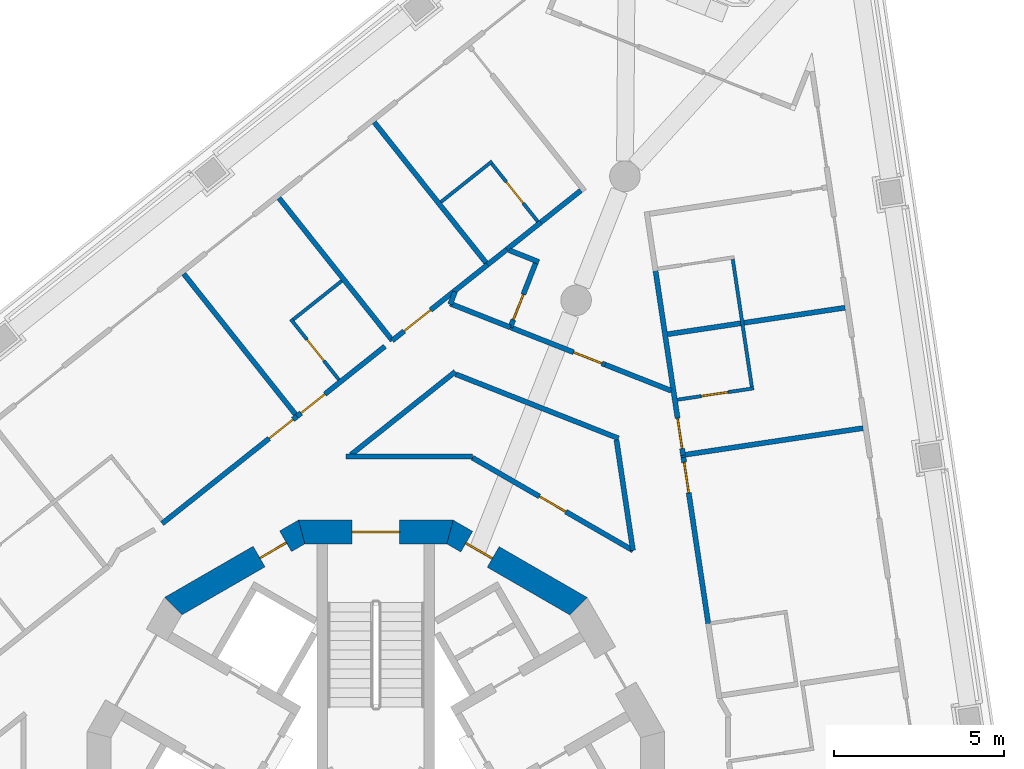
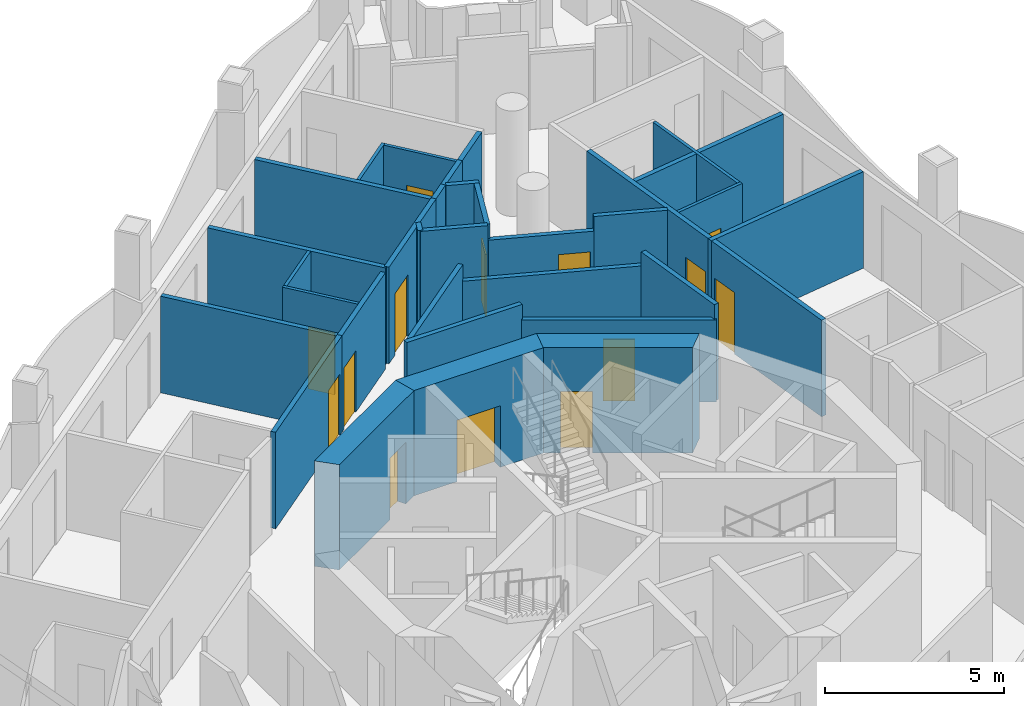
# One storey, part 8 of 16: 33 walls, 14 doors, 14 openings.
"""IFC4 building model written with IfcOpenShell, lengths in metres."""

from ifc_helpers import new_model, si_unit, direction, frame, frame_2d, origin, place, context, subcontext, project, spatial, polyline, rectangle, outline, extrude, material, layer, layer_set, type_object, element, fill, save


model = new_model("IFC4")

# Units and contexts
model_context = context("Model", 3, precision=1e-05, world=origin(), true_north=direction((0.0, 1.0)))
body_context = subcontext(model_context, "Body", "Model", "MODEL_VIEW")
ifc_project = project(units=[si_unit("LENGTHUNIT", "METRE"), si_unit("AREAUNIT", "SQUARE_METRE"), si_unit("VOLUMEUNIT", "CUBIC_METRE"), si_unit("PLANEANGLEUNIT", "RADIAN"), si_unit("MASSUNIT", "GRAM", prefix="KILO")], contexts=[model_context])

# Site, building, storey
site_placement = place(None, origin())
site = spatial("IfcSite", under=ifc_project, at=site_placement, CompositionType="ELEMENT")
building_placement = place(site_placement, origin())
building = spatial("IfcBuilding", under=site, at=building_placement, Name="Trine Commons Tower", CompositionType="ELEMENT")
storey_placement = place(building_placement, frame((0.0, 0.0, 219.60009765625)))
storey = spatial("IfcBuildingStorey", under=building, at=storey_placement, Name="L57", CompositionType="ELEMENT", Elevation=219.60009765625)

# Wall, opening, door
ifc_material_1 = material(Name="Concrete C60/75", Category="concrete")
ifc_layer_1 = layer(ifc_material_1, 0.699951171875)
ifc_layer_set_1 = layer_set([ifc_layer_1], Name="Concrete C60/75")
wall_type_1 = type_object("IfcWallType", Name="RC shear wall 700 mm, C60/75", PredefinedType="SHEAR", material=ifc_layer_set_1)
wall_1_placement = place(storey_placement, frame((86.047607421875, 68.41943359375, 0.0), z_axis=(0.0, 0.0, 1.0), x_axis=(-0.866034756103, 0.499983800959, 0.0)))
wall_1 = element("IfcWall", 1, at=wall_1_placement, inside=storey, type_object=wall_type_1, Name="Core wall CWF-03 L57", PredefinedType="SHEAR", context=body_context, shape_type="SweptSolid", body=[
    extrude(outline(polyline([(0.0, -0.35009765625), (4.55517578125, -0.35009765625), (4.36767578125, 0.35009765625), (0.1875, 0.35009765625), (0.0, -0.35009765625)])), origin(), (0.0, 0.0, 1.0), 3.599853515625),
])
opening_1_placement = place(wall_1_placement, frame((2.990966796875, 0.0, 0.0)))
opening_1 = element("IfcOpeningElement", 2, at=opening_1_placement, cuts=wall_1, Name="Opening K15.14", PredefinedType="OPENING", context=body_context, shape_type="SweptSolid", body=[
    extrude(rectangle(XDim=0.89990234375, YDim=2.10009765625, at=frame_2d((0.449951171875, 1.050048828125))), frame((0.0, 0.35986328125, 0.0), z_axis=(0.0, -1.0, 0.0), x_axis=(1.0, 0.0, 0.0)), (0.0, 0.0, 1.0), 0.719970703125),
])
ifc_material_2 = material(Name="Steel door leaf, fire-rated", Category="steel")
door_type_1 = type_object("IfcDoorType", Name="Core room door, single leaf 900 x 2100, FD30S", OperationType="SINGLE_SWING_LEFT", PredefinedType="DOOR", material=ifc_material_2)
door_1_placement = place(opening_1_placement, origin())
door_1 = element("IfcDoor", 3, at=door_1_placement, inside=storey, type_object=door_type_1, Name="Door to Core WC L57", OperationType="SINGLE_SWING_RIGHT", OverallHeight=2.10009765625, OverallWidth=0.89990234375, PredefinedType="DOOR", context=body_context, shape_type="SweptSolid", body=[
    extrude(rectangle(XDim=0.89990234375, YDim=2.10009765625, at=frame_2d((0.449951171875, 1.050048828125))), frame((0.0, 0.0751953125, 0.0), z_axis=(0.0, -1.0, 0.0), x_axis=(1.0, 0.0, 0.0)), (0.0, 0.0, 1.0), 0.050048828125),
])
fill(opening_1, door_1)

wall_2_placement = place(storey_placement, frame((82.277587890625, 70.650146484375, 0.0), z_axis=(0.0, 0.0, 1.0), x_axis=(-1.0, 0.0, 0.0)))
wall_2 = element("IfcWall", 4, at=wall_2_placement, inside=storey, type_object=wall_type_1, Name="Core wall CWF-04 L57", PredefinedType="SHEAR", context=body_context, shape_type="SweptSolid", body=[
    extrude(outline(polyline([(0.0, -0.35009765625), (4.55517578125, -0.35009765625), (4.36767578125, 0.35009765625), (0.1875, 0.35009765625), (0.0, -0.35009765625)])), origin(), (0.0, 0.0, 1.0), 3.599853515625),
])
opening_2_placement = place(wall_2_placement, frame((1.57763671875, 0.0, 0.0)))
opening_2 = element("IfcOpeningElement", 5, at=opening_2_placement, cuts=wall_2, Name="Opening K15.01", PredefinedType="OPENING", context=body_context, shape_type="SweptSolid", body=[
    extrude(rectangle(XDim=1.39990234375, YDim=2.10009765625, at=frame_2d((0.699951171875, 1.050048828125))), frame((0.0, 0.35986328125, 0.0), z_axis=(0.0, -1.0, 0.0), x_axis=(1.0, 0.0, 0.0)), (0.0, 0.0, 1.0), 0.719970703125),
])
ifc_material_3 = material(Name="Steel door leaves, fire-rated", Category="steel")
door_type_2 = type_object("IfcDoorType", Name="Stair door, double leaf 1400 x 2100, FD90", OperationType="DOUBLE_DOOR_SINGLE_SWING", PredefinedType="DOOR", material=ifc_material_3)
door_2_placement = place(opening_2_placement, origin())
door_2 = element("IfcDoor", 6, at=door_2_placement, inside=storey, type_object=door_type_2, Name="Stair door to Exit stair ST1C L57", OperationType="DOUBLE_DOOR_SINGLE_SWING", OverallHeight=2.10009765625, OverallWidth=1.39990234375, PredefinedType="DOOR", context=body_context, shape_type="SweptSolid", body=[
    extrude(rectangle(XDim=1.39990234375, YDim=2.10009765625, at=frame_2d((0.699951171875, 1.050048828125))), frame((0.0, 0.02490234375, 0.0), z_axis=(0.0, -1.0, 0.0), x_axis=(1.0, 0.0, 0.0)), (0.0, 0.0, 1.0), 0.050048828125),
])
fill(opening_2, door_2)

wall_3_placement = place(storey_placement, frame((77.8974609375, 70.697021484375, 0.0), z_axis=(0.0, 0.0, 1.0), x_axis=(-0.866034756103, -0.499983800959, 0.0)))
wall_3 = element("IfcWall", 7, at=wall_3_placement, inside=storey, type_object=wall_type_1, Name="Core wall CWF-05 L57", PredefinedType="SHEAR", context=body_context, shape_type="SweptSolid", body=[
    extrude(outline(polyline([(0.0, -0.35009765625), (4.55517578125, -0.35009765625), (4.36767578125, 0.35009765625), (0.1875, 0.35009765625), (0.0, -0.35009765625)])), origin(), (0.0, 0.0, 1.0), 3.599853515625),
])
opening_3_placement = place(wall_3_placement, frame((0.641845703125, 0.0, 0.0)))
opening_3 = element("IfcOpeningElement", 8, at=opening_3_placement, cuts=wall_3, Name="Opening K15.15", PredefinedType="OPENING", context=body_context, shape_type="SweptSolid", body=[
    extrude(rectangle(XDim=0.89990234375, YDim=2.10009765625, at=frame_2d((0.449951171875, 1.050048828125))), frame((0.0, 0.35986328125, 0.0), z_axis=(0.0, -1.0, 0.0), x_axis=(1.0, 0.0, 0.0)), (0.0, 0.0, 1.0), 0.719970703125),
])
door_3_placement = place(opening_3_placement, origin())
door_3 = element("IfcDoor", 9, at=door_3_placement, inside=storey, type_object=door_type_1, Name="Door to Accessible WC L57", OperationType="SINGLE_SWING_LEFT", OverallHeight=2.10009765625, OverallWidth=0.89990234375, PredefinedType="DOOR", context=body_context, shape_type="SweptSolid", body=[
    extrude(rectangle(XDim=0.89990234375, YDim=2.10009765625, at=frame_2d((0.449951171875, 1.050048828125))), frame((0.0, 0.0751953125, 0.0), z_axis=(0.0, -1.0, 0.0), x_axis=(1.0, 0.0, 0.0)), (0.0, 0.0, 1.0), 0.050048828125),
])
fill(opening_3, door_3)

ifc_material_4 = material(Name="Gypsum plasterboard on steel stud", Category="steel")
ifc_layer_2 = layer(ifc_material_4, 0.14990234375)
ifc_layer_set_2 = layer_set([ifc_layer_2], Name="Gypsum plasterboard on steel stud")
wall_type_2 = type_object("IfcWallType", Name="Unit and corridor wall 150 mm, EI 60", PredefinedType="PARTITIONING", material=ifc_layer_set_2)
wall_4_placement = place(storey_placement, frame((73.706787109375, 70.89892578125, 0.0), z_axis=(0.0, 0.0, 1.0), x_axis=(0.782685143932, 0.622417838327, 0.0)))
wall_4 = element("IfcWall", 10, at=wall_4_placement, inside=storey, type_object=wall_type_2, Name="Partition 036", PredefinedType="PARTITIONING", context=body_context, shape_type="SweptSolid", body=[
    extrude(rectangle(XDim=5.078857421875, YDim=0.14990234375, at=frame_2d((2.53955078125, 0.0))), origin(), (0.0, 0.0, 1.0), 3.2998046875),
])
opening_4_placement = place(wall_4_placement, frame((4.025146484375, 0.0, 0.0)))
opening_4 = element("IfcOpeningElement", 11, at=opening_4_placement, cuts=wall_4, Name="Opening D-6C08", PredefinedType="OPENING", context=body_context, shape_type="SweptSolid", body=[
    extrude(rectangle(XDim=0.89990234375, YDim=2.10009765625, at=frame_2d((0.449951171875, 1.050048828125))), frame((0.0, 0.0849609375, 0.0), z_axis=(0.0, -1.0, 0.0), x_axis=(1.0, 0.0, 0.0)), (0.0, 0.0, 1.0), 0.169921875),
])
ifc_material_5 = material(Name="Timber fire door set", Category="wood")
door_type_3 = type_object("IfcDoorType", Name="Bedroom door 900 x 2100, FD30S", OperationType="NOTDEFINED", PredefinedType="DOOR", material=ifc_material_5)
door_4_placement = place(opening_4_placement, origin())
door_4 = element("IfcDoor", 12, at=door_4_placement, inside=storey, type_object=door_type_3, Name="Door D-6C08", OperationType="SINGLE_SWING_RIGHT", OverallHeight=2.10009765625, OverallWidth=0.89990234375, PredefinedType="DOOR", context=body_context, shape_type="SweptSolid", body=[
    extrude(rectangle(XDim=0.89990234375, YDim=2.10009765625, at=frame_2d((0.449951171875, 1.050048828125))), frame((0.0, 0.02490234375, 0.0), z_axis=(0.0, -1.0, 0.0), x_axis=(1.0, 0.0, 0.0)), (0.0, 0.0, 1.0), 0.050048828125),
])
fill(opening_4, door_4)

# Walls
wall_5_placement = place(storey_placement, frame((74.343017578125, 78.252685546875, 0.0), z_axis=(0.0, 0.0, 1.0), x_axis=(0.622444463897, -0.782663969634, 0.0)))
element("IfcWall", 13, at=wall_5_placement, inside=storey, type_object=wall_type_2, Name="Partition 037", PredefinedType="PARTITIONING", context=body_context, shape_type="SweptSolid", body=[
    extrude(rectangle(XDim=5.284423828125, YDim=0.14990234375, at=frame_2d((2.64208984375, 0.0))), origin(), (0.0, 0.0, 1.0), 3.2998046875),
])
wall_6_placement = place(storey_placement, frame((77.14892578125, 80.485595703125, 0.0), z_axis=(0.0, 0.0, 1.0), x_axis=(0.622587598128, -0.782550115109, 0.0)))
element("IfcWall", 14, at=wall_6_placement, inside=storey, type_object=wall_type_2, Name="Partition 044", PredefinedType="PARTITIONING", context=body_context, shape_type="SweptSolid", body=[
    extrude(rectangle(XDim=5.360107421875, YDim=0.14990234375, at=frame_2d((2.68017578125, 0.0))), origin(), (0.0, 0.0, 1.0), 3.2998046875),
])

# Wall, opening, door
wall_7_placement = place(storey_placement, frame((77.676025390625, 74.055908203125, 0.0), z_axis=(0.0, 0.0, 1.0), x_axis=(0.782691617443, 0.622409697855, 0.0)))
wall_7 = element("IfcWall", 15, at=wall_7_placement, inside=storey, type_object=wall_type_2, Name="Partition 048", PredefinedType="PARTITIONING", context=body_context, shape_type="SweptSolid", body=[
    extrude(rectangle(XDim=3.31298828125, YDim=0.14990234375, at=frame_2d((1.656494140625, 0.0))), origin(), (0.0, 0.0, 1.0), 3.2998046875),
])
opening_5_placement = place(wall_7_placement, frame((0.153564453125, 0.0, 0.0)))
opening_5 = element("IfcOpeningElement", 16, at=opening_5_placement, cuts=wall_7, Name="Opening D-6C09", PredefinedType="OPENING", context=body_context, shape_type="SweptSolid", body=[
    extrude(rectangle(XDim=0.89990234375, YDim=2.10009765625, at=frame_2d((0.449951171875, 1.050048828125))), frame((0.0, 0.0849609375, 0.0), z_axis=(0.0, -1.0, 0.0), x_axis=(1.0, 0.0, 0.0)), (0.0, 0.0, 1.0), 0.169921875),
])
door_5_placement = place(opening_5_placement, origin())
door_5 = element("IfcDoor", 17, at=door_5_placement, inside=storey, type_object=door_type_3, Name="Door D-6C09", OperationType="SINGLE_SWING_LEFT", OverallHeight=2.10009765625, OverallWidth=0.89990234375, PredefinedType="DOOR", context=body_context, shape_type="SweptSolid", body=[
    extrude(rectangle(XDim=0.89990234375, YDim=2.10009765625, at=frame_2d((0.449951171875, 1.050048828125))), frame((0.0, 0.02490234375, 0.0), z_axis=(0.0, -1.0, 0.0), x_axis=(1.0, 0.0, 0.0)), (0.0, 0.0, 1.0), 0.050048828125),
])
fill(opening_5, door_5)

# Walls
wall_8_placement = place(storey_placement, frame((79.125, 72.875, 0.0), z_axis=(0.0, 0.0, 1.0), x_axis=(1.0, 0.0, 0.0)))
element("IfcWall", 18, at=wall_8_placement, inside=storey, type_object=wall_type_2, Name="Partition 050", PredefinedType="PARTITIONING", context=body_context, shape_type="SweptSolid", body=[
    extrude(rectangle(XDim=3.72998046875, YDim=0.14990234375, at=frame_2d((1.864990234375, 0.0))), origin(), (0.0, 0.0, 1.0), 3.2998046875),
])
wall_9_placement = place(storey_placement, frame((79.2626953125, 72.921630859375, 0.0), z_axis=(0.0, 0.0, 1.0), x_axis=(0.782518607784, 0.622627198629, 0.0)))
element("IfcWall", 19, at=wall_9_placement, inside=storey, type_object=wall_type_2, Name="Partition 051", PredefinedType="PARTITIONING", context=body_context, shape_type="SweptSolid", body=[
    extrude(rectangle(XDim=3.934814453125, YDim=0.14990234375, at=frame_2d((1.96728515625, 0.0))), origin(), (0.0, 0.0, 1.0), 3.2998046875),
])
wall_10_placement = place(storey_placement, frame((79.954833984375, 82.7177734375, 0.0), z_axis=(0.0, 0.0, 1.0), x_axis=(0.622585933561, -0.782551439416, 0.0)))
element("IfcWall", 20, at=wall_10_placement, inside=storey, type_object=wall_type_2, Name="Partition 053", PredefinedType="PARTITIONING", context=body_context, shape_type="SweptSolid", body=[
    extrude(rectangle(XDim=5.28515625, YDim=0.14990234375, at=frame_2d((2.642578125, 0.0))), origin(), (0.0, 0.0, 1.0), 3.2998046875),
])

# Wall, opening, door
wall_11_placement = place(storey_placement, frame((80.48291015625, 76.2890625, 0.0), z_axis=(0.0, 0.0, 1.0), x_axis=(0.782683898342, 0.622419404643, 0.0)))
wall_11 = element("IfcWall", 21, at=wall_11_placement, inside=storey, type_object=wall_type_2, Name="Partition 054", PredefinedType="PARTITIONING", context=body_context, shape_type="SweptSolid", body=[
    extrude(rectangle(XDim=3.589111328125, YDim=0.14990234375, at=frame_2d((1.79443359375, 0.0))), origin(), (0.0, 0.0, 1.0), 3.2998046875),
])
opening_6_placement = place(wall_11_placement, frame((0.447265625, 0.0, 0.0)))
opening_6 = element("IfcOpeningElement", 22, at=opening_6_placement, cuts=wall_11, Name="Opening D-6C10", PredefinedType="OPENING", context=body_context, shape_type="SweptSolid", body=[
    extrude(rectangle(XDim=1.0, YDim=2.10009765625, at=frame_2d((0.5, 1.050048828125))), frame((0.0, 0.0849609375, 0.0), z_axis=(0.0, -1.0, 0.0), x_axis=(1.0, 0.0, 0.0)), (0.0, 0.0, 1.0), 0.169921875),
])
ifc_material_6 = material(Name="Painted timber", Category="wood")
door_type_4 = type_object("IfcDoorType", Name="Amenity room door 1000 x 2100, NOT RATED", OperationType="NOTDEFINED", PredefinedType="DOOR", material=ifc_material_6)
door_6_placement = place(opening_6_placement, origin())
door_6 = element("IfcDoor", 23, at=door_6_placement, inside=storey, type_object=door_type_4, Name="Door D-6C10", OperationType="SINGLE_SWING_LEFT", OverallHeight=2.10009765625, OverallWidth=1.0, PredefinedType="DOOR", context=body_context, shape_type="SweptSolid", body=[
    extrude(rectangle(XDim=1.0, YDim=2.10009765625, at=frame_2d((0.5, 1.050048828125))), frame((0.0, 0.02490234375, 0.0), z_axis=(0.0, -1.0, 0.0), x_axis=(1.0, 0.0, 0.0)), (0.0, 0.0, 1.0), 0.050048828125),
])
fill(opening_6, door_6)

# Walls
wall_12_placement = place(storey_placement, frame((82.19189453125, 77.3759765625, 0.0), z_axis=(0.0, 0.0, 1.0), x_axis=(0.93022308185, -0.366994574882, 0.0)))
element("IfcWall", 24, at=wall_12_placement, inside=storey, type_object=wall_type_2, Name="Partition 057", PredefinedType="PARTITIONING", context=body_context, shape_type="SweptSolid", body=[
    extrude(rectangle(XDim=1.9072265625, YDim=0.14990234375, at=frame_2d((0.95361328125, 0.0))), origin(), (0.0, 0.0, 1.0), 3.2998046875),
])
wall_13_placement = place(storey_placement, frame((82.188232421875, 77.3544921875, 0.0), z_axis=(0.0, 0.0, 1.0), x_axis=(0.365066779339, 0.930981335271, 0.0)))
element("IfcWall", 25, at=wall_13_placement, inside=storey, type_object=wall_type_2, Name="Partition 058", PredefinedType="PARTITIONING", context=body_context, shape_type="SweptSolid", body=[
    extrude(rectangle(XDim=0.39990234375, YDim=0.14990234375, at=frame_2d((0.199951171875, 0.0))), origin(), (0.0, 0.0, 1.0), 3.2998046875),
])
wall_14_placement = place(storey_placement, frame((82.352783203125, 75.297607421875, 0.0), z_axis=(0.0, 0.0, 1.0), x_axis=(0.930366278921, -0.366631404883, 0.0)))
element("IfcWall", 26, at=wall_14_placement, inside=storey, type_object=wall_type_2, Name="Partition 059", PredefinedType="PARTITIONING", context=body_context, shape_type="SweptSolid", body=[
    extrude(rectangle(XDim=5.15283203125, YDim=0.14990234375, at=frame_2d((2.576416015625, 0.0))), origin(), (0.0, 0.0, 1.0), 2.7998046875),
])

# Wall, opening, door
wall_15_placement = place(storey_placement, frame((82.844970703125, 72.83740234375, 0.0), z_axis=(0.0, 0.0, 1.0), x_axis=(0.865990633405, -0.500060219228, 0.0)))
wall_15 = element("IfcWall", 27, at=wall_15_placement, inside=storey, type_object=wall_type_2, Name="Partition 062", PredefinedType="PARTITIONING", context=body_context, shape_type="SweptSolid", body=[
    extrude(rectangle(XDim=5.464111328125, YDim=0.14990234375, at=frame_2d((2.73193359375, 0.0))), origin(), (0.0, 0.0, 1.0), 2.7998046875),
])
opening_7_placement = place(wall_15_placement, frame((2.280517578125, 0.0, 0.0)))
opening_7 = element("IfcOpeningElement", 28, at=opening_7_placement, cuts=wall_15, Name="Opening D-6C27", PredefinedType="OPENING", context=body_context, shape_type="SweptSolid", body=[
    extrude(rectangle(XDim=0.89990234375, YDim=2.10009765625, at=frame_2d((0.449951171875, 1.050048828125))), frame((0.0, 0.0849609375, 0.0), z_axis=(0.0, -1.0, 0.0), x_axis=(1.0, 0.0, 0.0)), (0.0, 0.0, 1.0), 0.169921875),
])
door_type_5 = type_object("IfcDoorType", Name="Service door 900 x 2100, FD30S", OperationType="NOTDEFINED", PredefinedType="DOOR", material=ifc_material_5)
door_7_placement = place(opening_7_placement, origin())
door_7 = element("IfcDoor", 29, at=door_7_placement, inside=storey, type_object=door_type_5, Name="Door D-6C27", OperationType="SINGLE_SWING_LEFT", OverallHeight=2.10009765625, OverallWidth=0.89990234375, PredefinedType="DOOR", context=body_context, shape_type="SweptSolid", body=[
    extrude(rectangle(XDim=0.89990234375, YDim=2.10009765625, at=frame_2d((0.449951171875, 1.050048828125))), frame((0.0, 0.02490234375, 0.0), z_axis=(0.0, -1.0, 0.0), x_axis=(1.0, 0.0, 0.0)), (0.0, 0.0, 1.0), 0.050048828125),
])
fill(opening_7, door_7)

# Walls
wall_16_placement = place(storey_placement, frame((83.2919921875, 78.52294921875, 0.0), z_axis=(0.0, 0.0, 1.0), x_axis=(0.782961678727, 0.622069939512, 0.0)))
element("IfcWall", 30, at=wall_16_placement, inside=storey, type_object=wall_type_2, Name="Partition 065", PredefinedType="PARTITIONING", context=body_context, shape_type="SweptSolid", body=[
    extrude(rectangle(XDim=0.726806640625, YDim=0.14990234375, at=frame_2d((0.36328125, 0.0))), origin(), (0.0, 0.0, 1.0), 3.2998046875),
])
wall_17_placement = place(storey_placement, frame((83.930908203125, 78.947509765625, 0.0), z_axis=(0.0, 0.0, 1.0), x_axis=(0.930564496223, -0.366128008175, 0.0)))
element("IfcWall", 31, at=wall_17_placement, inside=storey, type_object=wall_type_2, Name="Partition 067", PredefinedType="PARTITIONING", context=body_context, shape_type="SweptSolid", body=[
    extrude(rectangle(XDim=0.936767578125, YDim=0.14990234375, at=frame_2d((0.46826171875, 0.0))), origin(), (0.0, 0.0, 1.0), 3.2998046875),
])
wall_18_placement = place(storey_placement, frame((83.861083984375, 78.97509765625, 0.0), z_axis=(0.0, 0.0, 1.0), x_axis=(0.782507881156, 0.622640679629, 0.0)))
element("IfcWall", 32, at=wall_18_placement, inside=storey, type_object=wall_type_2, Name="Partition 068", PredefinedType="PARTITIONING", context=body_context, shape_type="SweptSolid", body=[
    extrude(rectangle(XDim=1.276611328125, YDim=0.14990234375, at=frame_2d((0.63818359375, 0.0))), origin(), (0.0, 0.0, 1.0), 3.2998046875),
])

# Wall, opening, door
wall_19_placement = place(storey_placement, frame((83.962890625, 76.677978515625, 0.0), z_axis=(0.0, 0.0, 1.0), x_axis=(0.366688940458, 0.9303436037, 0.0)))
wall_19 = element("IfcWall", 33, at=wall_19_placement, inside=storey, type_object=wall_type_2, Name="Partition 069", PredefinedType="PARTITIONING", context=body_context, shape_type="SweptSolid", body=[
    extrude(rectangle(XDim=2.025390625, YDim=0.14990234375, at=frame_2d((1.0126953125, 0.0))), origin(), (0.0, 0.0, 1.0), 3.2998046875),
])
opening_8_placement = place(wall_19_placement, frame((0.24267578125, 0.0, 0.0)))
opening_8 = element("IfcOpeningElement", 34, at=opening_8_placement, cuts=wall_19, Name="Opening D-6C04", PredefinedType="OPENING", context=body_context, shape_type="SweptSolid", body=[
    extrude(rectangle(XDim=0.800048828125, YDim=2.10009765625, at=frame_2d((0.39990234375, 1.050048828125))), frame((0.0, 0.0849609375, 0.0), z_axis=(0.0, -1.0, 0.0), x_axis=(1.0, 0.0, 0.0)), (0.0, 0.0, 1.0), 0.169921875),
])
door_type_6 = type_object("IfcDoorType", Name="Toilet door 800 x 2100, NOT RATED", OperationType="NOTDEFINED", PredefinedType="DOOR", material=ifc_material_6)
door_8_placement = place(opening_8_placement, origin())
door_8 = element("IfcDoor", 35, at=door_8_placement, inside=storey, type_object=door_type_6, Name="Door D-6C04", OperationType="SINGLE_SWING_LEFT", OverallHeight=2.10009765625, OverallWidth=0.800048828125, PredefinedType="DOOR", context=body_context, shape_type="SweptSolid", body=[
    extrude(rectangle(XDim=0.800048828125, YDim=2.10009765625, at=frame_2d((0.39990234375, 1.050048828125))), frame((0.0, 0.02490234375, 0.0), z_axis=(0.0, -1.0, 0.0), x_axis=(1.0, 0.0, 0.0)), (0.0, 0.0, 1.0), 0.050048828125),
])
fill(opening_8, door_8)

wall_20_placement = place(storey_placement, frame((83.97705078125, 76.672119140625, 0.0), z_axis=(0.0, 0.0, 1.0), x_axis=(0.930513911047, -0.36625655127, 0.0)))
wall_20 = element("IfcWall", 36, at=wall_20_placement, inside=storey, type_object=wall_type_2, Name="Partition 070", PredefinedType="PARTITIONING", context=body_context, shape_type="SweptSolid", body=[
    extrude(rectangle(XDim=2.987548828125, YDim=0.14990234375, at=frame_2d((1.49365234375, 0.0))), origin(), (0.0, 0.0, 1.0), 2.7998046875),
])
opening_9_placement = place(wall_20_placement, frame((1.987548828125, 0.0, 0.0)))
opening_9 = element("IfcOpeningElement", 37, at=opening_9_placement, cuts=wall_20, Name="Opening D-6C01", PredefinedType="OPENING", context=body_context, shape_type="SweptSolid", body=[
    extrude(rectangle(XDim=0.89990234375, YDim=2.10009765625, at=frame_2d((0.449951171875, 1.050048828125))), frame((0.0, 0.0849609375, 0.0), z_axis=(0.0, -1.0, 0.0), x_axis=(1.0, 0.0, 0.0)), (0.0, 0.0, 1.0), 0.169921875),
])
door_type_7 = type_object("IfcDoorType", Name="Cluster entrance door 900 x 2100, FD30S", OperationType="NOTDEFINED", PredefinedType="DOOR", material=ifc_material_5)
door_9_placement = place(opening_9_placement, origin())
door_9 = element("IfcDoor", 38, at=door_9_placement, inside=storey, type_object=door_type_7, Name="Door D-6C01", OperationType="SINGLE_SWING_RIGHT", OverallHeight=2.10009765625, OverallWidth=0.89990234375, PredefinedType="DOOR", context=body_context, shape_type="SweptSolid", body=[
    extrude(rectangle(XDim=0.89990234375, YDim=2.10009765625, at=frame_2d((0.449951171875, 1.050048828125))), frame((0.0, 0.02490234375, 0.0), z_axis=(0.0, -1.0, 0.0), x_axis=(1.0, 0.0, 0.0)), (0.0, 0.0, 1.0), 0.050048828125),
])
fill(opening_9, door_9)

# Walls
wall_21_placement = place(storey_placement, frame((84.81494140625, 79.735107421875, 0.0), z_axis=(0.0, 0.0, 1.0), x_axis=(0.782844700833, 0.622217144072, 0.0)))
element("IfcWall", 39, at=wall_21_placement, inside=storey, type_object=wall_type_2, Name="Partition 072", PredefinedType="PARTITIONING", context=body_context, shape_type="SweptSolid", body=[
    extrude(rectangle(XDim=1.56396484375, YDim=0.14990234375, at=frame_2d((0.781982421875, 0.0))), origin(), (0.0, 0.0, 1.0), 3.2998046875),
])
wall_22_placement = place(storey_placement, frame((86.757080078125, 75.577880859375, 0.0), z_axis=(0.0, 0.0, 1.0), x_axis=(0.930326271928, -0.366732910659, 0.0)))
element("IfcWall", 40, at=wall_22_placement, inside=storey, type_object=wall_type_2, Name="Partition 079", PredefinedType="PARTITIONING", context=body_context, shape_type="SweptSolid", body=[
    extrude(rectangle(XDim=2.089599609375, YDim=0.14990234375, at=frame_2d((1.044921875, 0.0))), origin(), (0.0, 0.0, 1.0), 3.2998046875),
])
wall_23_placement = place(storey_placement, frame((87.088134765625, 73.36181640625, 0.0), z_axis=(0.0, 0.0, 1.0), x_axis=(0.147629393442, -0.989042750437, 0.0)))
element("IfcWall", 41, at=wall_23_placement, inside=storey, type_object=wall_type_2, Name="Partition 081", PredefinedType="PARTITIONING", context=body_context, shape_type="SweptSolid", body=[
    extrude(rectangle(XDim=3.291015625, YDim=0.14990234375, at=frame_2d((1.6455078125, 0.0))), origin(), (0.0, 0.0, 1.0), 3.2998046875),
])

# Wall, opening, door
wall_24_placement = place(storey_placement, frame((88.23095703125, 78.39599609375, 0.0), z_axis=(0.0, 0.0, 1.0), x_axis=(0.147922673627, -0.988998929538, 0.0)))
wall_24 = element("IfcWall", 42, at=wall_24_placement, inside=storey, type_object=wall_type_2, Name="Partition 085", PredefinedType="PARTITIONING", context=body_context, shape_type="SweptSolid", body=[
    extrude(rectangle(XDim=5.5439453125, YDim=0.14990234375, at=frame_2d((2.77197265625, 0.0))), origin(), (0.0, 0.0, 1.0), 3.2998046875),
])
opening_10_placement = place(wall_24_placement, frame((4.4462890625, 0.0, 0.0)))
opening_10 = element("IfcOpeningElement", 43, at=opening_10_placement, cuts=wall_24, Name="Opening D-6C13", PredefinedType="OPENING", context=body_context, shape_type="SweptSolid", body=[
    extrude(rectangle(XDim=0.89990234375, YDim=2.10009765625, at=frame_2d((0.449951171875, 1.050048828125))), frame((0.0, 0.0849609375, 0.0), z_axis=(0.0, -1.0, 0.0), x_axis=(1.0, 0.0, 0.0)), (0.0, 0.0, 1.0), 0.169921875),
])
door_10_placement = place(opening_10_placement, origin())
door_10 = element("IfcDoor", 44, at=door_10_placement, inside=storey, type_object=door_type_3, Name="Door D-6C13", OperationType="SINGLE_SWING_RIGHT", OverallHeight=2.10009765625, OverallWidth=0.89990234375, PredefinedType="DOOR", context=body_context, shape_type="SweptSolid", body=[
    extrude(rectangle(XDim=0.89990234375, YDim=2.10009765625, at=frame_2d((0.449951171875, 1.050048828125))), frame((0.0, 0.02490234375, 0.0), z_axis=(0.0, -1.0, 0.0), x_axis=(1.0, 0.0, 0.0)), (0.0, 0.0, 1.0), 0.050048828125),
])
fill(opening_10, door_10)

# Walls
wall_25_placement = place(storey_placement, frame((88.59423828125, 76.47509765625, 0.0), z_axis=(0.0, 0.0, 1.0), x_axis=(0.989020900083, 0.147775705715, 0.0)))
element("IfcWall", 45, at=wall_25_placement, inside=storey, type_object=wall_type_2, Name="Partition 087", PredefinedType="PARTITIONING", context=body_context, shape_type="SweptSolid", body=[
    extrude(rectangle(XDim=5.28515625, YDim=0.14990234375, at=frame_2d((2.642578125, 0.0))), origin(), (0.0, 0.0, 1.0), 3.2998046875),
])
wall_26_placement = place(storey_placement, frame((88.975830078125, 72.906005859375, 0.0), z_axis=(0.0, 0.0, 1.0), x_axis=(0.989026447028, 0.147738576813, 0.0)))
element("IfcWall", 46, at=wall_26_placement, inside=storey, type_object=wall_type_2, Name="Partition 090", PredefinedType="PARTITIONING", context=body_context, shape_type="SweptSolid", body=[
    extrude(rectangle(XDim=5.43505859375, YDim=0.14990234375, at=frame_2d((2.717529296875, 0.0))), origin(), (0.0, 0.0, 1.0), 3.2998046875),
])

# Wall, opening, door
wall_27_placement = place(storey_placement, frame((89.06103515625, 72.8466796875, 0.0), z_axis=(0.0, 0.0, 1.0), x_axis=(0.147716396188, -0.989029760067, 0.0)))
wall_27 = element("IfcWall", 47, at=wall_27_placement, inside=storey, type_object=wall_type_2, Name="Partition 091", PredefinedType="PARTITIONING", context=body_context, shape_type="SweptSolid", body=[
    extrude(rectangle(XDim=4.955078125, YDim=0.14990234375, at=frame_2d((2.4775390625, 0.0))), origin(), (0.0, 0.0, 1.0), 3.2998046875),
])
opening_11_placement = place(wall_27_placement, frame((0.14990234375, 0.0, 0.0)))
opening_11 = element("IfcOpeningElement", 48, at=opening_11_placement, cuts=wall_27, Name="Opening D-6C14", PredefinedType="OPENING", context=body_context, shape_type="SweptSolid", body=[
    extrude(rectangle(XDim=0.89990234375, YDim=2.10009765625, at=frame_2d((0.449951171875, 1.050048828125))), frame((0.0, 0.0849609375, 0.0), z_axis=(0.0, -1.0, 0.0), x_axis=(1.0, 0.0, 0.0)), (0.0, 0.0, 1.0), 0.169921875),
])
door_11_placement = place(opening_11_placement, origin())
door_11 = element("IfcDoor", 49, at=door_11_placement, inside=storey, type_object=door_type_3, Name="Door D-6C14", OperationType="SINGLE_SWING_LEFT", OverallHeight=2.10009765625, OverallWidth=0.89990234375, PredefinedType="DOOR", context=body_context, shape_type="SweptSolid", body=[
    extrude(rectangle(XDim=0.89990234375, YDim=2.10009765625, at=frame_2d((0.449951171875, 1.050048828125))), frame((0.0, 0.02490234375, 0.0), z_axis=(0.0, -1.0, 0.0), x_axis=(1.0, 0.0, 0.0)), (0.0, 0.0, 1.0), 0.050048828125),
])
fill(opening_11, door_11)

ifc_layer_3 = layer(ifc_material_4, 0.10009765625)
ifc_layer_set_3 = layer_set([ifc_layer_3], Name="Gypsum plasterboard on steel stud")
wall_type_3 = type_object("IfcWallType", Name="Unit partition 100 mm, no rating", PredefinedType="PARTITIONING", material=ifc_layer_set_3)
wall_28_placement = place(storey_placement, frame((77.496826171875, 76.916015625, 0.0), z_axis=(0.0, 0.0, 1.0), x_axis=(0.622625135388, -0.78252024944, 0.0)))
wall_28 = element("IfcWall", 50, at=wall_28_placement, inside=storey, type_object=wall_type_3, Name="Partition 046", PredefinedType="PARTITIONING", context=body_context, shape_type="SweptSolid", body=[
    extrude(rectangle(XDim=2.275146484375, YDim=0.10009765625, at=frame_2d((1.1376953125, 0.0))), origin(), (0.0, 0.0, 1.0), 3.2998046875),
])
opening_12_placement = place(wall_28_placement, frame((0.7626953125, 0.0, 0.0)))
opening_12 = element("IfcOpeningElement", 51, at=opening_12_placement, cuts=wall_28, Name="Opening D-6C33", PredefinedType="OPENING", context=body_context, shape_type="SweptSolid", body=[
    extrude(rectangle(XDim=0.800048828125, YDim=2.10009765625, at=frame_2d((0.39990234375, 1.050048828125))), frame((0.0, 0.06005859375, 0.0), z_axis=(0.0, -1.0, 0.0), x_axis=(1.0, 0.0, 0.0)), (0.0, 0.0, 1.0), 0.1201171875),
])
door_type_8 = type_object("IfcDoorType", Name="Internal door 800 x 2100, NOT RATED", OperationType="NOTDEFINED", PredefinedType="DOOR", material=ifc_material_6)
door_12_placement = place(opening_12_placement, frame((0.800048828125, 0.0, 0.0), z_axis=(0.0, 0.0, 1.0), x_axis=(-1.0, 0.0, 0.0)))
door_12 = element("IfcDoor", 52, at=door_12_placement, inside=storey, type_object=door_type_8, Name="Door D-6C33", OperationType="SINGLE_SWING_LEFT", OverallHeight=2.10009765625, OverallWidth=0.800048828125, PredefinedType="DOOR", context=body_context, shape_type="SweptSolid", body=[
    extrude(rectangle(XDim=0.800048828125, YDim=2.10009765625, at=frame_2d((0.39990234375, 1.050048828125))), frame((0.0, 0.02490234375, 0.0), z_axis=(0.0, -1.0, 0.0), x_axis=(1.0, 0.0, 0.0)), (0.0, 0.0, 1.0), 0.050048828125),
])
fill(opening_12, door_12)

# Walls
wall_29_placement = place(storey_placement, frame((77.567138671875, 76.908203125, 0.0), z_axis=(0.0, 0.0, 1.0), x_axis=(0.782627716851, 0.622490045557, 0.0)))
element("IfcWall", 53, at=wall_29_placement, inside=storey, type_object=wall_type_3, Name="Partition 047", PredefinedType="PARTITIONING", context=body_context, shape_type="SweptSolid", body=[
    extrude(rectangle(XDim=1.824951171875, YDim=0.10009765625, at=frame_2d((0.91259765625, 0.0))), origin(), (0.0, 0.0, 1.0), 3.2998046875),
])
wall_30_placement = place(storey_placement, frame((81.918701171875, 80.36962890625, 0.0), z_axis=(0.0, 0.0, 1.0), x_axis=(0.782536451706, 0.622604771706, 0.0)))
element("IfcWall", 54, at=wall_30_placement, inside=storey, type_object=wall_type_3, Name="Partition 056", PredefinedType="PARTITIONING", context=body_context, shape_type="SweptSolid", body=[
    extrude(rectangle(XDim=1.925048828125, YDim=0.10009765625, at=frame_2d((0.96240234375, 0.0))), origin(), (0.0, 0.0, 1.0), 3.2998046875),
])

# Wall, opening, door
wall_31_placement = place(storey_placement, frame((83.4169921875, 81.497802734375, 0.0), z_axis=(0.0, 0.0, 1.0), x_axis=(0.622598555727, -0.782541397248, 0.0)))
wall_31 = element("IfcWall", 55, at=wall_31_placement, inside=storey, type_object=wall_type_3, Name="Partition 066", PredefinedType="PARTITIONING", context=body_context, shape_type="SweptSolid", body=[
    extrude(rectangle(XDim=2.175048828125, YDim=0.10009765625, at=frame_2d((1.08740234375, 0.0))), origin(), (0.0, 0.0, 1.0), 3.2998046875),
])
opening_13_placement = place(wall_31_placement, frame((0.6875, 0.0, 0.0)))
opening_13 = element("IfcOpeningElement", 56, at=opening_13_placement, cuts=wall_31, Name="Opening D-6C34", PredefinedType="OPENING", context=body_context, shape_type="SweptSolid", body=[
    extrude(rectangle(XDim=0.800048828125, YDim=2.10009765625, at=frame_2d((0.39990234375, 1.050048828125))), frame((0.0, 0.06005859375, 0.0), z_axis=(0.0, -1.0, 0.0), x_axis=(1.0, 0.0, 0.0)), (0.0, 0.0, 1.0), 0.1201171875),
])
door_13_placement = place(opening_13_placement, origin())
door_13 = element("IfcDoor", 57, at=door_13_placement, inside=storey, type_object=door_type_8, Name="Door D-6C34", OperationType="SINGLE_SWING_LEFT", OverallHeight=2.10009765625, OverallWidth=0.800048828125, PredefinedType="DOOR", context=body_context, shape_type="SweptSolid", body=[
    extrude(rectangle(XDim=0.800048828125, YDim=2.10009765625, at=frame_2d((0.39990234375, 1.050048828125))), frame((0.0, 0.02490234375, 0.0), z_axis=(0.0, -1.0, 0.0), x_axis=(1.0, 0.0, 0.0)), (0.0, 0.0, 1.0), 0.050048828125),
])
fill(opening_13, door_13)

wall_32_placement = place(storey_placement, frame((88.882080078125, 74.546142578125, 0.0), z_axis=(0.0, 0.0, 1.0), x_axis=(0.989025888794, 0.147742313828, 0.0)))
wall_32 = element("IfcWall", 58, at=wall_32_placement, inside=storey, type_object=wall_type_3, Name="Partition 089", PredefinedType="PARTITIONING", context=body_context, shape_type="SweptSolid", body=[
    extrude(rectangle(XDim=2.275390625, YDim=0.10009765625, at=frame_2d((1.1376953125, 0.0))), origin(), (0.0, 0.0, 1.0), 3.2998046875),
])
opening_14_placement = place(wall_32_placement, frame((0.712646484375, 0.0, 0.0)))
opening_14 = element("IfcOpeningElement", 59, at=opening_14_placement, cuts=wall_32, Name="Opening D-6C36", PredefinedType="OPENING", context=body_context, shape_type="SweptSolid", body=[
    extrude(rectangle(XDim=0.800048828125, YDim=2.10009765625, at=frame_2d((0.39990234375, 1.050048828125))), frame((0.0, 0.06005859375, 0.0), z_axis=(0.0, -1.0, 0.0), x_axis=(1.0, 0.0, 0.0)), (0.0, 0.0, 1.0), 0.1201171875),
])
door_14_placement = place(opening_14_placement, frame((0.800048828125, 0.0, 0.0), z_axis=(0.0, 0.0, 1.0), x_axis=(-1.0, 0.0, 0.0)))
door_14 = element("IfcDoor", 60, at=door_14_placement, inside=storey, type_object=door_type_8, Name="Door D-6C36", OperationType="SINGLE_SWING_RIGHT", OverallHeight=2.10009765625, OverallWidth=0.800048828125, PredefinedType="DOOR", context=body_context, shape_type="SweptSolid", body=[
    extrude(rectangle(XDim=0.800048828125, YDim=2.10009765625, at=frame_2d((0.39990234375, 1.050048828125))), frame((0.0, 0.02490234375, 0.0), z_axis=(0.0, -1.0, 0.0), x_axis=(1.0, 0.0, 0.0)), (0.0, 0.0, 1.0), 0.050048828125),
])
fill(opening_14, door_14)

# Wall
wall_33_placement = place(storey_placement, frame((90.514404296875, 78.6826171875, 0.0), z_axis=(0.0, 0.0, 1.0), x_axis=(0.147715184464, -0.989029941043, 0.0)))
element("IfcWall", 61, at=wall_33_placement, inside=storey, type_object=wall_type_3, Name="Partition 103", PredefinedType="PARTITIONING", context=body_context, shape_type="SweptSolid", body=[
    extrude(rectangle(XDim=3.7998046875, YDim=0.10009765625, at=frame_2d((1.89990234375, 0.0))), origin(), (0.0, 0.0, 1.0), 3.2998046875),
])

save(model, "model.ifc")
